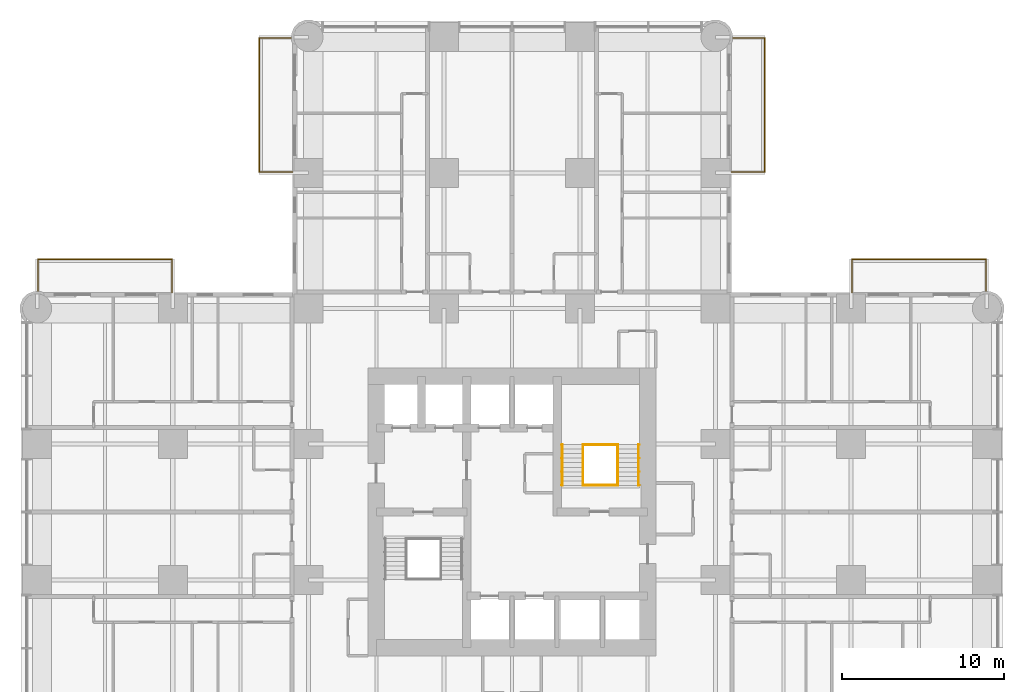
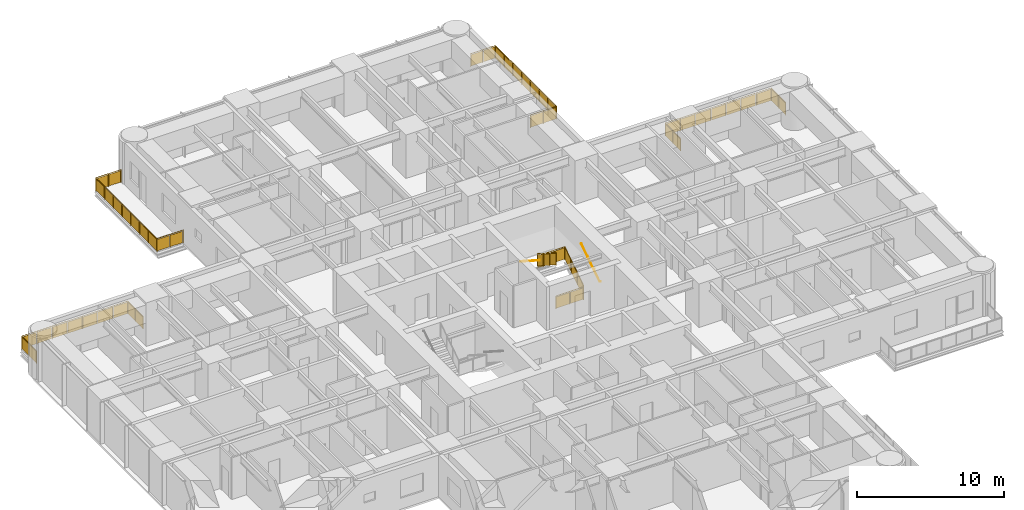
# One storey, part 17 of 17: 10 railings.
"""IFC4 building model written with IfcOpenShell, lengths in metres."""

from ifc_helpers import new_model, si_unit, direction, frame, origin, origin_2d, place, context, subcontext, project, spatial, polyline, circle, outline, extrude, material, constituent, constituent_set, type_object, element, save


model = new_model("IFC4")

# Units and contexts
model_context = context("Model", 3, precision=1e-05, world=origin(), true_north=direction((0.0, 1.0)))
body_context = subcontext(model_context, "Body", "Model", "MODEL_VIEW")
ifc_project = project(units=[si_unit("LENGTHUNIT", "METRE"), si_unit("AREAUNIT", "SQUARE_METRE"), si_unit("VOLUMEUNIT", "CUBIC_METRE"), si_unit("PLANEANGLEUNIT", "RADIAN"), si_unit("MASSUNIT", "GRAM", prefix="KILO")], contexts=[model_context])

# Site, building, storey
site_placement = place(None, origin())
site = spatial("IfcSite", under=ifc_project, at=site_placement, CompositionType="ELEMENT")
building_placement = place(site_placement, origin())
building = spatial("IfcBuilding", under=site, at=building_placement, Name="Torre Alcanfor", CompositionType="ELEMENT")
storey_placement = place(building_placement, frame((0.0, 0.0, 88.5)))
storey = spatial("IfcBuildingStorey", under=building, at=storey_placement, Name="L22", CompositionType="ELEMENT", Elevation=88.5)

# Railings
ifc_material_1 = material(Name="Laminated safety glass", Category="glass")
ifc_constituent_1 = constituent(ifc_material_1, Name="Infill")
ifc_material_2 = material(Name="Stainless steel ASTM A554 Grade MT 316L tube", Category="steel")
ifc_constituent_2 = constituent(ifc_material_2, Name="Posts and rail")
ifc_constituent_set = constituent_set(constituents=[ifc_constituent_1, ifc_constituent_2], Name="Balcony guard glass 1100")
railing_type_1 = type_object("IfcRailingType", Name="Balcony guard glass 1100", PredefinedType="BALUSTRADE", material=ifc_constituent_set)
railing_1_placement = place(storey_placement, frame((15.800048828125, 50.449951171875, 0.0)))
element("IfcRailing", 1, at=railing_1_placement, inside=storey, type_object=railing_type_1, Name="Balcony guard L22-N1", PredefinedType="BALUSTRADE", context=body_context, shape_type="SweptSolid", body=[
    extrude(circle(Radius=0.02392578125, at=origin_2d()), frame((0.0, 0.0, 1.076171875), z_axis=(-1.0, 0.0, 0.0), x_axis=(0.0, -1.0, 0.0)), (0.0, 0.0, 1.0), 2.050048828125),
    extrude(circle(Radius=0.02392578125, at=origin_2d()), frame((-2.050048828125, 0.0, 1.076171875), z_axis=(0.0, 1.0, 0.0), x_axis=(-1.0, 0.0, 0.0)), (0.0, 0.0, 1.0), 8.300048828125),
    extrude(circle(Radius=0.02392578125, at=origin_2d()), frame((-2.050048828125, 8.300048828125, 1.076171875), z_axis=(1.0, 0.0, 0.0), x_axis=(0.0, 1.0, 0.0)), (0.0, 0.0, 1.0), 1.968994140625),
    extrude(circle(Radius=0.02099609375, at=origin_2d()), origin(), (0.0, 0.0, 1.0), 1.052001953125),
    extrude(circle(Radius=0.02099609375, at=origin_2d()), frame((-1.02490234375, 0.0, 0.0)), (0.0, 0.0, 1.0), 1.052001953125),
    extrude(circle(Radius=0.02099609375, at=origin_2d()), frame((-2.050048828125, 0.0, 0.0)), (0.0, 0.0, 1.0), 1.052001953125),
    extrude(circle(Radius=0.02099609375, at=origin_2d()), frame((-2.050048828125, 1.185791015625, 0.0)), (0.0, 0.0, 1.0), 1.052001953125),
    extrude(circle(Radius=0.02099609375, at=origin_2d()), frame((-2.050048828125, 2.371337890625, 0.0)), (0.0, 0.0, 1.0), 1.052001953125),
    extrude(circle(Radius=0.02099609375, at=origin_2d()), frame((-2.050048828125, 3.55712890625, 0.0)), (0.0, 0.0, 1.0), 1.052001953125),
    extrude(circle(Radius=0.02099609375, at=origin_2d()), frame((-2.050048828125, 4.742919921875, 0.0)), (0.0, 0.0, 1.0), 1.052001953125),
    extrude(circle(Radius=0.02099609375, at=origin_2d()), frame((-2.050048828125, 5.9287109375, 0.0)), (0.0, 0.0, 1.0), 1.052001953125),
    extrude(circle(Radius=0.02099609375, at=origin_2d()), frame((-2.050048828125, 7.1142578125, 0.0)), (0.0, 0.0, 1.0), 1.052001953125),
    extrude(circle(Radius=0.02099609375, at=origin_2d()), frame((-2.050048828125, 8.300048828125, 0.0)), (0.0, 0.0, 1.0), 1.052001953125),
    extrude(circle(Radius=0.02099609375, at=origin_2d()), frame((-1.0654296875, 8.300048828125, 0.0)), (0.0, 0.0, 1.0), 1.052001953125),
    extrude(circle(Radius=0.02099609375, at=origin_2d()), frame((-0.0810546875, 8.300048828125, 0.0)), (0.0, 0.0, 1.0), 1.052001953125),
    extrude(outline(polyline([(0.041015625, 0.050048828125), (0.984130859375, 0.050048828125), (0.984130859375, 1.001953125), (0.041015625, 1.001953125), (0.041015625, 0.050048828125)])), frame((0.0, -0.005859375, 0.0), z_axis=(0.0, 1.0, 0.0), x_axis=(-1.0, 0.0, 0.0)), (0.0, 0.0, 1.0), 0.011962890625),
    extrude(outline(polyline([(1.06591796875, 0.050048828125), (2.009033203125, 0.050048828125), (2.009033203125, 1.001953125), (1.06591796875, 1.001953125), (1.06591796875, 0.050048828125)])), frame((0.0, -0.005859375, 0.0), z_axis=(0.0, 1.0, 0.0), x_axis=(-1.0, 0.0, 0.0)), (0.0, 0.0, 1.0), 0.011962890625),
    extrude(outline(polyline([(0.041015625, 0.050048828125), (1.144775390625, 0.050048828125), (1.144775390625, 1.001953125), (0.041015625, 1.001953125), (0.041015625, 0.050048828125)])), frame((-2.05615234375, 0.0, 0.0), z_axis=(1.0, 0.0, 0.0), x_axis=(0.0, 1.0, 0.0)), (0.0, 0.0, 1.0), 0.011962890625),
    extrude(outline(polyline([(1.226806640625, 0.050048828125), (2.330322265625, 0.050048828125), (2.330322265625, 1.001953125), (1.226806640625, 1.001953125), (1.226806640625, 0.050048828125)])), frame((-2.05615234375, 0.0, 0.0), z_axis=(1.0, 0.0, 0.0), x_axis=(0.0, 1.0, 0.0)), (0.0, 0.0, 1.0), 0.011962890625),
    extrude(outline(polyline([(2.412353515625, 0.050048828125), (3.51611328125, 0.050048828125), (3.51611328125, 1.001953125), (2.412353515625, 1.001953125), (2.412353515625, 0.050048828125)])), frame((-2.05615234375, 0.0, 0.0), z_axis=(1.0, 0.0, 0.0), x_axis=(0.0, 1.0, 0.0)), (0.0, 0.0, 1.0), 0.011962890625),
    extrude(outline(polyline([(3.59814453125, 0.050048828125), (4.701904296875, 0.050048828125), (4.701904296875, 1.001953125), (3.59814453125, 1.001953125), (3.59814453125, 0.050048828125)])), frame((-2.05615234375, 0.0, 0.0), z_axis=(1.0, 0.0, 0.0), x_axis=(0.0, 1.0, 0.0)), (0.0, 0.0, 1.0), 0.011962890625),
    extrude(outline(polyline([(4.783935546875, 0.050048828125), (5.8876953125, 0.050048828125), (5.8876953125, 1.001953125), (4.783935546875, 1.001953125), (4.783935546875, 0.050048828125)])), frame((-2.05615234375, 0.0, 0.0), z_axis=(1.0, 0.0, 0.0), x_axis=(0.0, 1.0, 0.0)), (0.0, 0.0, 1.0), 0.011962890625),
    extrude(outline(polyline([(5.9697265625, 0.050048828125), (7.0732421875, 0.050048828125), (7.0732421875, 1.001953125), (5.9697265625, 1.001953125), (5.9697265625, 0.050048828125)])), frame((-2.05615234375, 0.0, 0.0), z_axis=(1.0, 0.0, 0.0), x_axis=(0.0, 1.0, 0.0)), (0.0, 0.0, 1.0), 0.011962890625),
    extrude(outline(polyline([(7.1552734375, 0.050048828125), (8.259033203125, 0.050048828125), (8.259033203125, 1.001953125), (7.1552734375, 1.001953125), (7.1552734375, 0.050048828125)])), frame((-2.05615234375, 0.0, 0.0), z_axis=(1.0, 0.0, 0.0), x_axis=(0.0, 1.0, 0.0)), (0.0, 0.0, 1.0), 0.011962890625),
    extrude(outline(polyline([(0.041015625, 0.050048828125), (0.943603515625, 0.050048828125), (0.943603515625, 1.001953125), (0.041015625, 1.001953125), (0.041015625, 0.050048828125)])), frame((-2.050048828125, 8.30615234375, 0.0), z_axis=(0.0, -1.0, 0.0), x_axis=(1.0, 0.0, 0.0)), (0.0, 0.0, 1.0), 0.011962890625),
    extrude(outline(polyline([(1.025390625, 0.050048828125), (1.927978515625, 0.050048828125), (1.927978515625, 1.001953125), (1.025390625, 1.001953125), (1.025390625, 0.050048828125)])), frame((-2.050048828125, 8.30615234375, 0.0), z_axis=(0.0, -1.0, 0.0), x_axis=(1.0, 0.0, 0.0)), (0.0, 0.0, 1.0), 0.011962890625),
])
railing_2_placement = place(storey_placement, frame((43.0, 50.449951171875, 0.0)))
element("IfcRailing", 2, at=railing_2_placement, inside=storey, type_object=railing_type_1, Name="Balcony guard L22-N2", PredefinedType="BALUSTRADE", context=body_context, shape_type="SweptSolid", body=[
    extrude(circle(Radius=0.02392578125, at=origin_2d()), frame((0.0, 0.0, 1.076171875), z_axis=(1.0, 0.0, 0.0), x_axis=(0.0, 1.0, 0.0)), (0.0, 0.0, 1.0), 2.050048828125),
    extrude(circle(Radius=0.02392578125, at=origin_2d()), frame((2.050048828125, 0.0, 1.076171875), z_axis=(0.0, 1.0, 0.0), x_axis=(-1.0, 0.0, 0.0)), (0.0, 0.0, 1.0), 8.300048828125),
    extrude(circle(Radius=0.02392578125, at=origin_2d()), frame((2.050048828125, 8.300048828125, 1.076171875), z_axis=(-1.0, 0.0, 0.0), x_axis=(0.0, -1.0, 0.0)), (0.0, 0.0, 1.0), 1.968994140625),
    extrude(circle(Radius=0.02099609375, at=origin_2d()), origin(), (0.0, 0.0, 1.0), 1.052001953125),
    extrude(circle(Radius=0.02099609375, at=origin_2d()), frame((1.02490234375, 0.0, 0.0)), (0.0, 0.0, 1.0), 1.052001953125),
    extrude(circle(Radius=0.02099609375, at=origin_2d()), frame((2.050048828125, 0.0, 0.0)), (0.0, 0.0, 1.0), 1.052001953125),
    extrude(circle(Radius=0.02099609375, at=origin_2d()), frame((2.050048828125, 1.185791015625, 0.0)), (0.0, 0.0, 1.0), 1.052001953125),
    extrude(circle(Radius=0.02099609375, at=origin_2d()), frame((2.050048828125, 2.371337890625, 0.0)), (0.0, 0.0, 1.0), 1.052001953125),
    extrude(circle(Radius=0.02099609375, at=origin_2d()), frame((2.050048828125, 3.55712890625, 0.0)), (0.0, 0.0, 1.0), 1.052001953125),
    extrude(circle(Radius=0.02099609375, at=origin_2d()), frame((2.050048828125, 4.742919921875, 0.0)), (0.0, 0.0, 1.0), 1.052001953125),
    extrude(circle(Radius=0.02099609375, at=origin_2d()), frame((2.050048828125, 5.9287109375, 0.0)), (0.0, 0.0, 1.0), 1.052001953125),
    extrude(circle(Radius=0.02099609375, at=origin_2d()), frame((2.050048828125, 7.1142578125, 0.0)), (0.0, 0.0, 1.0), 1.052001953125),
    extrude(circle(Radius=0.02099609375, at=origin_2d()), frame((2.050048828125, 8.300048828125, 0.0)), (0.0, 0.0, 1.0), 1.052001953125),
    extrude(circle(Radius=0.02099609375, at=origin_2d()), frame((1.0654296875, 8.300048828125, 0.0)), (0.0, 0.0, 1.0), 1.052001953125),
    extrude(circle(Radius=0.02099609375, at=origin_2d()), frame((0.0810546875, 8.300048828125, 0.0)), (0.0, 0.0, 1.0), 1.052001953125),
    extrude(outline(polyline([(0.041015625, 0.050048828125), (0.984130859375, 0.050048828125), (0.984130859375, 1.001953125), (0.041015625, 1.001953125), (0.041015625, 0.050048828125)])), frame((0.0, 0.005859375, 0.0), z_axis=(0.0, -1.0, 0.0), x_axis=(1.0, 0.0, 0.0)), (0.0, 0.0, 1.0), 0.011962890625),
    extrude(outline(polyline([(1.06591796875, 0.050048828125), (2.009033203125, 0.050048828125), (2.009033203125, 1.001953125), (1.06591796875, 1.001953125), (1.06591796875, 0.050048828125)])), frame((0.0, 0.005859375, 0.0), z_axis=(0.0, -1.0, 0.0), x_axis=(1.0, 0.0, 0.0)), (0.0, 0.0, 1.0), 0.011962890625),
    extrude(outline(polyline([(0.041015625, 0.050048828125), (1.144775390625, 0.050048828125), (1.144775390625, 1.001953125), (0.041015625, 1.001953125), (0.041015625, 0.050048828125)])), frame((2.0439453125, 0.0, 0.0), z_axis=(1.0, 0.0, 0.0), x_axis=(0.0, 1.0, 0.0)), (0.0, 0.0, 1.0), 0.011962890625),
    extrude(outline(polyline([(1.226806640625, 0.050048828125), (2.330322265625, 0.050048828125), (2.330322265625, 1.001953125), (1.226806640625, 1.001953125), (1.226806640625, 0.050048828125)])), frame((2.0439453125, 0.0, 0.0), z_axis=(1.0, 0.0, 0.0), x_axis=(0.0, 1.0, 0.0)), (0.0, 0.0, 1.0), 0.011962890625),
    extrude(outline(polyline([(2.412353515625, 0.050048828125), (3.51611328125, 0.050048828125), (3.51611328125, 1.001953125), (2.412353515625, 1.001953125), (2.412353515625, 0.050048828125)])), frame((2.0439453125, 0.0, 0.0), z_axis=(1.0, 0.0, 0.0), x_axis=(0.0, 1.0, 0.0)), (0.0, 0.0, 1.0), 0.011962890625),
    extrude(outline(polyline([(3.59814453125, 0.050048828125), (4.701904296875, 0.050048828125), (4.701904296875, 1.001953125), (3.59814453125, 1.001953125), (3.59814453125, 0.050048828125)])), frame((2.0439453125, 0.0, 0.0), z_axis=(1.0, 0.0, 0.0), x_axis=(0.0, 1.0, 0.0)), (0.0, 0.0, 1.0), 0.011962890625),
    extrude(outline(polyline([(4.783935546875, 0.050048828125), (5.8876953125, 0.050048828125), (5.8876953125, 1.001953125), (4.783935546875, 1.001953125), (4.783935546875, 0.050048828125)])), frame((2.0439453125, 0.0, 0.0), z_axis=(1.0, 0.0, 0.0), x_axis=(0.0, 1.0, 0.0)), (0.0, 0.0, 1.0), 0.011962890625),
    extrude(outline(polyline([(5.9697265625, 0.050048828125), (7.0732421875, 0.050048828125), (7.0732421875, 1.001953125), (5.9697265625, 1.001953125), (5.9697265625, 0.050048828125)])), frame((2.0439453125, 0.0, 0.0), z_axis=(1.0, 0.0, 0.0), x_axis=(0.0, 1.0, 0.0)), (0.0, 0.0, 1.0), 0.011962890625),
    extrude(outline(polyline([(7.1552734375, 0.050048828125), (8.259033203125, 0.050048828125), (8.259033203125, 1.001953125), (7.1552734375, 1.001953125), (7.1552734375, 0.050048828125)])), frame((2.0439453125, 0.0, 0.0), z_axis=(1.0, 0.0, 0.0), x_axis=(0.0, 1.0, 0.0)), (0.0, 0.0, 1.0), 0.011962890625),
    extrude(outline(polyline([(0.041015625, 0.050048828125), (0.943603515625, 0.050048828125), (0.943603515625, 1.001953125), (0.041015625, 1.001953125), (0.041015625, 0.050048828125)])), frame((2.050048828125, 8.2939453125, 0.0), z_axis=(0.0, 1.0, 0.0), x_axis=(-1.0, 0.0, 0.0)), (0.0, 0.0, 1.0), 0.011962890625),
    extrude(outline(polyline([(1.025390625, 0.050048828125), (1.927978515625, 0.050048828125), (1.927978515625, 1.001953125), (1.025390625, 1.001953125), (1.025390625, 0.050048828125)])), frame((2.050048828125, 8.2939453125, 0.0), z_axis=(0.0, 1.0, 0.0), x_axis=(-1.0, 0.0, 0.0)), (0.0, 0.0, 1.0), 0.011962890625),
])
railing_3_placement = place(storey_placement, frame((50.449951171875, 43.0, 0.0)))
element("IfcRailing", 3, at=railing_3_placement, inside=storey, type_object=railing_type_1, Name="Balcony guard L22-E1", PredefinedType="BALUSTRADE", context=body_context, shape_type="SweptSolid", body=[
    extrude(circle(Radius=0.02392578125, at=origin_2d()), frame((0.0, 0.0, 1.076171875), z_axis=(0.0, 1.0, 0.0), x_axis=(-1.0, 0.0, 0.0)), (0.0, 0.0, 1.0), 2.050048828125),
    extrude(circle(Radius=0.02392578125, at=origin_2d()), frame((0.0, 2.050048828125, 1.076171875), z_axis=(1.0, 0.0, 0.0), x_axis=(0.0, 1.0, 0.0)), (0.0, 0.0, 1.0), 8.300048828125),
    extrude(circle(Radius=0.02392578125, at=origin_2d()), frame((8.300048828125, 2.050048828125, 1.076171875), z_axis=(0.0, -1.0, 0.0), x_axis=(1.0, 0.0, 0.0)), (0.0, 0.0, 1.0), 1.968994140625),
    extrude(circle(Radius=0.02099609375, at=origin_2d()), origin(), (0.0, 0.0, 1.0), 1.052001953125),
    extrude(circle(Radius=0.02099609375, at=origin_2d()), frame((0.0, 1.02490234375, 0.0)), (0.0, 0.0, 1.0), 1.052001953125),
    extrude(circle(Radius=0.02099609375, at=origin_2d()), frame((0.0, 2.050048828125, 0.0)), (0.0, 0.0, 1.0), 1.052001953125),
    extrude(circle(Radius=0.02099609375, at=origin_2d()), frame((1.185791015625, 2.050048828125, 0.0)), (0.0, 0.0, 1.0), 1.052001953125),
    extrude(circle(Radius=0.02099609375, at=origin_2d()), frame((2.371337890625, 2.050048828125, 0.0)), (0.0, 0.0, 1.0), 1.052001953125),
    extrude(circle(Radius=0.02099609375, at=origin_2d()), frame((3.55712890625, 2.050048828125, 0.0)), (0.0, 0.0, 1.0), 1.052001953125),
    extrude(circle(Radius=0.02099609375, at=origin_2d()), frame((4.742919921875, 2.050048828125, 0.0)), (0.0, 0.0, 1.0), 1.052001953125),
    extrude(circle(Radius=0.02099609375, at=origin_2d()), frame((5.9287109375, 2.050048828125, 0.0)), (0.0, 0.0, 1.0), 1.052001953125),
    extrude(circle(Radius=0.02099609375, at=origin_2d()), frame((7.1142578125, 2.050048828125, 0.0)), (0.0, 0.0, 1.0), 1.052001953125),
    extrude(circle(Radius=0.02099609375, at=origin_2d()), frame((8.300048828125, 2.050048828125, 0.0)), (0.0, 0.0, 1.0), 1.052001953125),
    extrude(circle(Radius=0.02099609375, at=origin_2d()), frame((8.300048828125, 1.0654296875, 0.0)), (0.0, 0.0, 1.0), 1.052001953125),
    extrude(circle(Radius=0.02099609375, at=origin_2d()), frame((8.300048828125, 0.0810546875, 0.0)), (0.0, 0.0, 1.0), 1.052001953125),
    extrude(outline(polyline([(0.041015625, 0.050048828125), (0.984130859375, 0.050048828125), (0.984130859375, 1.001953125), (0.041015625, 1.001953125), (0.041015625, 0.050048828125)])), frame((-0.005859375, 0.0, 0.0), z_axis=(1.0, 0.0, 0.0), x_axis=(0.0, 1.0, 0.0)), (0.0, 0.0, 1.0), 0.011962890625),
    extrude(outline(polyline([(1.06591796875, 0.050048828125), (2.009033203125, 0.050048828125), (2.009033203125, 1.001953125), (1.06591796875, 1.001953125), (1.06591796875, 0.050048828125)])), frame((-0.005859375, 0.0, 0.0), z_axis=(1.0, 0.0, 0.0), x_axis=(0.0, 1.0, 0.0)), (0.0, 0.0, 1.0), 0.011962890625),
    extrude(outline(polyline([(0.041015625, 0.050048828125), (1.144775390625, 0.050048828125), (1.144775390625, 1.001953125), (0.041015625, 1.001953125), (0.041015625, 0.050048828125)])), frame((0.0, 2.05615234375, 0.0), z_axis=(0.0, -1.0, 0.0), x_axis=(1.0, 0.0, 0.0)), (0.0, 0.0, 1.0), 0.011962890625),
    extrude(outline(polyline([(1.226806640625, 0.050048828125), (2.330322265625, 0.050048828125), (2.330322265625, 1.001953125), (1.226806640625, 1.001953125), (1.226806640625, 0.050048828125)])), frame((0.0, 2.05615234375, 0.0), z_axis=(0.0, -1.0, 0.0), x_axis=(1.0, 0.0, 0.0)), (0.0, 0.0, 1.0), 0.011962890625),
    extrude(outline(polyline([(2.412353515625, 0.050048828125), (3.51611328125, 0.050048828125), (3.51611328125, 1.001953125), (2.412353515625, 1.001953125), (2.412353515625, 0.050048828125)])), frame((0.0, 2.05615234375, 0.0), z_axis=(0.0, -1.0, 0.0), x_axis=(1.0, 0.0, 0.0)), (0.0, 0.0, 1.0), 0.011962890625),
    extrude(outline(polyline([(3.59814453125, 0.050048828125), (4.701904296875, 0.050048828125), (4.701904296875, 1.001953125), (3.59814453125, 1.001953125), (3.59814453125, 0.050048828125)])), frame((0.0, 2.05615234375, 0.0), z_axis=(0.0, -1.0, 0.0), x_axis=(1.0, 0.0, 0.0)), (0.0, 0.0, 1.0), 0.011962890625),
    extrude(outline(polyline([(4.783935546875, 0.050048828125), (5.8876953125, 0.050048828125), (5.8876953125, 1.001953125), (4.783935546875, 1.001953125), (4.783935546875, 0.050048828125)])), frame((0.0, 2.05615234375, 0.0), z_axis=(0.0, -1.0, 0.0), x_axis=(1.0, 0.0, 0.0)), (0.0, 0.0, 1.0), 0.011962890625),
    extrude(outline(polyline([(5.9697265625, 0.050048828125), (7.0732421875, 0.050048828125), (7.0732421875, 1.001953125), (5.9697265625, 1.001953125), (5.9697265625, 0.050048828125)])), frame((0.0, 2.05615234375, 0.0), z_axis=(0.0, -1.0, 0.0), x_axis=(1.0, 0.0, 0.0)), (0.0, 0.0, 1.0), 0.011962890625),
    extrude(outline(polyline([(7.1552734375, 0.050048828125), (8.259033203125, 0.050048828125), (8.259033203125, 1.001953125), (7.1552734375, 1.001953125), (7.1552734375, 0.050048828125)])), frame((0.0, 2.05615234375, 0.0), z_axis=(0.0, -1.0, 0.0), x_axis=(1.0, 0.0, 0.0)), (0.0, 0.0, 1.0), 0.011962890625),
    extrude(outline(polyline([(0.041015625, 0.050048828125), (0.943603515625, 0.050048828125), (0.943603515625, 1.001953125), (0.041015625, 1.001953125), (0.041015625, 0.050048828125)])), frame((8.30615234375, 2.050048828125, 0.0), z_axis=(-1.0, 0.0, 0.0), x_axis=(0.0, -1.0, 0.0)), (0.0, 0.0, 1.0), 0.011962890625),
    extrude(outline(polyline([(1.025390625, 0.050048828125), (1.927978515625, 0.050048828125), (1.927978515625, 1.001953125), (1.025390625, 1.001953125), (1.025390625, 0.050048828125)])), frame((8.30615234375, 2.050048828125, 0.0), z_axis=(-1.0, 0.0, 0.0), x_axis=(0.0, -1.0, 0.0)), (0.0, 0.0, 1.0), 0.011962890625),
])
railing_4_placement = place(storey_placement, frame((8.35009765625, 43.0, 0.0)))
element("IfcRailing", 4, at=railing_4_placement, inside=storey, type_object=railing_type_1, Name="Balcony guard L22-W2", PredefinedType="BALUSTRADE", context=body_context, shape_type="SweptSolid", body=[
    extrude(circle(Radius=0.02392578125, at=origin_2d()), frame((0.0, 0.0, 1.076171875), z_axis=(0.0, 1.0, 0.0), x_axis=(-1.0, 0.0, 0.0)), (0.0, 0.0, 1.0), 2.050048828125),
    extrude(circle(Radius=0.02392578125, at=origin_2d()), frame((0.0, 2.050048828125, 1.076171875), z_axis=(-1.0, 0.0, 0.0), x_axis=(0.0, -1.0, 0.0)), (0.0, 0.0, 1.0), 8.300048828125),
    extrude(circle(Radius=0.02392578125, at=origin_2d()), frame((-8.300048828125, 2.050048828125, 1.076171875), z_axis=(0.0, -1.0, 0.0), x_axis=(1.0, 0.0, 0.0)), (0.0, 0.0, 1.0), 1.968994140625),
    extrude(circle(Radius=0.02099609375, at=origin_2d()), origin(), (0.0, 0.0, 1.0), 1.052001953125),
    extrude(circle(Radius=0.02099609375, at=origin_2d()), frame((0.0, 1.02490234375, 0.0)), (0.0, 0.0, 1.0), 1.052001953125),
    extrude(circle(Radius=0.02099609375, at=origin_2d()), frame((0.0, 2.050048828125, 0.0)), (0.0, 0.0, 1.0), 1.052001953125),
    extrude(circle(Radius=0.02099609375, at=origin_2d()), frame((-1.185791015625, 2.050048828125, 0.0)), (0.0, 0.0, 1.0), 1.052001953125),
    extrude(circle(Radius=0.02099609375, at=origin_2d()), frame((-2.371337890625, 2.050048828125, 0.0)), (0.0, 0.0, 1.0), 1.052001953125),
    extrude(circle(Radius=0.02099609375, at=origin_2d()), frame((-3.55712890625, 2.050048828125, 0.0)), (0.0, 0.0, 1.0), 1.052001953125),
    extrude(circle(Radius=0.02099609375, at=origin_2d()), frame((-4.742919921875, 2.050048828125, 0.0)), (0.0, 0.0, 1.0), 1.052001953125),
    extrude(circle(Radius=0.02099609375, at=origin_2d()), frame((-5.9287109375, 2.050048828125, 0.0)), (0.0, 0.0, 1.0), 1.052001953125),
    extrude(circle(Radius=0.02099609375, at=origin_2d()), frame((-7.1142578125, 2.050048828125, 0.0)), (0.0, 0.0, 1.0), 1.052001953125),
    extrude(circle(Radius=0.02099609375, at=origin_2d()), frame((-8.300048828125, 2.050048828125, 0.0)), (0.0, 0.0, 1.0), 1.052001953125),
    extrude(circle(Radius=0.02099609375, at=origin_2d()), frame((-8.300048828125, 1.0654296875, 0.0)), (0.0, 0.0, 1.0), 1.052001953125),
    extrude(circle(Radius=0.02099609375, at=origin_2d()), frame((-8.300048828125, 0.0810546875, 0.0)), (0.0, 0.0, 1.0), 1.052001953125),
    extrude(outline(polyline([(0.041015625, 0.050048828125), (0.984130859375, 0.050048828125), (0.984130859375, 1.001953125), (0.041015625, 1.001953125), (0.041015625, 0.050048828125)])), frame((-0.005859375, 0.0, 0.0), z_axis=(1.0, 0.0, 0.0), x_axis=(0.0, 1.0, 0.0)), (0.0, 0.0, 1.0), 0.011962890625),
    extrude(outline(polyline([(1.06591796875, 0.050048828125), (2.009033203125, 0.050048828125), (2.009033203125, 1.001953125), (1.06591796875, 1.001953125), (1.06591796875, 0.050048828125)])), frame((-0.005859375, 0.0, 0.0), z_axis=(1.0, 0.0, 0.0), x_axis=(0.0, 1.0, 0.0)), (0.0, 0.0, 1.0), 0.011962890625),
    extrude(outline(polyline([(0.041015625, 0.050048828125), (1.144775390625, 0.050048828125), (1.144775390625, 1.001953125), (0.041015625, 1.001953125), (0.041015625, 0.050048828125)])), frame((0.0, 2.0439453125, 0.0), z_axis=(0.0, 1.0, 0.0), x_axis=(-1.0, 0.0, 0.0)), (0.0, 0.0, 1.0), 0.011962890625),
    extrude(outline(polyline([(1.226806640625, 0.050048828125), (2.330322265625, 0.050048828125), (2.330322265625, 1.001953125), (1.226806640625, 1.001953125), (1.226806640625, 0.050048828125)])), frame((0.0, 2.0439453125, 0.0), z_axis=(0.0, 1.0, 0.0), x_axis=(-1.0, 0.0, 0.0)), (0.0, 0.0, 1.0), 0.011962890625),
    extrude(outline(polyline([(2.412353515625, 0.050048828125), (3.51611328125, 0.050048828125), (3.51611328125, 1.001953125), (2.412353515625, 1.001953125), (2.412353515625, 0.050048828125)])), frame((0.0, 2.0439453125, 0.0), z_axis=(0.0, 1.0, 0.0), x_axis=(-1.0, 0.0, 0.0)), (0.0, 0.0, 1.0), 0.011962890625),
    extrude(outline(polyline([(3.59814453125, 0.050048828125), (4.701904296875, 0.050048828125), (4.701904296875, 1.001953125), (3.59814453125, 1.001953125), (3.59814453125, 0.050048828125)])), frame((0.0, 2.0439453125, 0.0), z_axis=(0.0, 1.0, 0.0), x_axis=(-1.0, 0.0, 0.0)), (0.0, 0.0, 1.0), 0.011962890625),
    extrude(outline(polyline([(4.783935546875, 0.050048828125), (5.8876953125, 0.050048828125), (5.8876953125, 1.001953125), (4.783935546875, 1.001953125), (4.783935546875, 0.050048828125)])), frame((0.0, 2.0439453125, 0.0), z_axis=(0.0, 1.0, 0.0), x_axis=(-1.0, 0.0, 0.0)), (0.0, 0.0, 1.0), 0.011962890625),
    extrude(outline(polyline([(5.9697265625, 0.050048828125), (7.0732421875, 0.050048828125), (7.0732421875, 1.001953125), (5.9697265625, 1.001953125), (5.9697265625, 0.050048828125)])), frame((0.0, 2.0439453125, 0.0), z_axis=(0.0, 1.0, 0.0), x_axis=(-1.0, 0.0, 0.0)), (0.0, 0.0, 1.0), 0.011962890625),
    extrude(outline(polyline([(7.1552734375, 0.050048828125), (8.259033203125, 0.050048828125), (8.259033203125, 1.001953125), (7.1552734375, 1.001953125), (7.1552734375, 0.050048828125)])), frame((0.0, 2.0439453125, 0.0), z_axis=(0.0, 1.0, 0.0), x_axis=(-1.0, 0.0, 0.0)), (0.0, 0.0, 1.0), 0.011962890625),
    extrude(outline(polyline([(0.041015625, 0.050048828125), (0.943603515625, 0.050048828125), (0.943603515625, 1.001953125), (0.041015625, 1.001953125), (0.041015625, 0.050048828125)])), frame((-8.2939453125, 2.050048828125, 0.0), z_axis=(-1.0, 0.0, 0.0), x_axis=(0.0, -1.0, 0.0)), (0.0, 0.0, 1.0), 0.011962890625),
    extrude(outline(polyline([(1.025390625, 0.050048828125), (1.927978515625, 0.050048828125), (1.927978515625, 1.001953125), (1.025390625, 1.001953125), (1.025390625, 0.050048828125)])), frame((-8.2939453125, 2.050048828125, 0.0), z_axis=(-1.0, 0.0, 0.0), x_axis=(0.0, -1.0, 0.0)), (0.0, 0.0, 1.0), 0.011962890625),
])
ifc_material_3 = material(Name="Steel ASTM A500 Grade C hollow sections", Category="steel")
railing_type_2 = type_object("IfcRailingType", Name="Stair guard and handrail 1100", PredefinedType="GUARDRAIL", material=ifc_material_3)
railing_5_placement = place(storey_placement, frame((35.949951171875, 31.050048828125, 0.179931640625)))
element("IfcRailing", 5, at=railing_5_placement, inside=storey, type_object=railing_type_2, Name="Stair guard S2 L22 flight 1", PredefinedType="GUARDRAIL", context=body_context, shape_type="SweptSolid", body=[
    extrude(circle(Radius=0.02392578125, at=origin_2d()), frame((0.0, 0.0, 1.076171875), z_axis=(0.0, 0.841162588446, 0.540782303519), x_axis=(-1.0, 0.0, 0.0)), (0.0, 0.0, 1.0), 2.995849609375),
    extrude(circle(Radius=0.02099609375, at=origin_2d()), origin(), (0.0, 0.0, 1.0), 1.052001953125),
    extrude(circle(Radius=0.02099609375, at=origin_2d()), frame((0.0, 0.840087890625, 0.5400390625)), (0.0, 0.0, 1.0), 1.052001953125),
    extrude(circle(Radius=0.02099609375, at=origin_2d()), frame((0.0, 1.679931640625, 1.080078125)), (0.0, 0.0, 1.0), 1.052001953125),
    extrude(circle(Radius=0.02099609375, at=origin_2d()), frame((0.0, 2.52001953125, 1.6201171875)), (0.0, 0.0, 1.0), 1.052001953125),
    extrude(outline(polyline([(0.041015625, 0.076416015625), (0.799072265625, 0.563720703125), (0.799072265625, 1.515625), (0.041015625, 1.0283203125), (0.041015625, 0.076416015625)])), frame((-0.005859375, 0.0, 0.0), z_axis=(1.0, 0.0, 0.0), x_axis=(0.0, 1.0, 0.0)), (0.0, 0.0, 1.0), 0.011962890625),
    extrude(outline(polyline([(0.881103515625, 0.616455078125), (1.638916015625, 1.103759765625), (1.638916015625, 2.0556640625), (0.881103515625, 1.568359375), (0.881103515625, 0.616455078125)])), frame((-0.005859375, 0.0, 0.0), z_axis=(1.0, 0.0, 0.0), x_axis=(0.0, 1.0, 0.0)), (0.0, 0.0, 1.0), 0.011962890625),
    extrude(outline(polyline([(1.720947265625, 1.156494140625), (2.47900390625, 1.643798828125), (2.47900390625, 2.595703125), (1.720947265625, 2.1083984375), (1.720947265625, 1.156494140625)])), frame((-0.005859375, 0.0, 0.0), z_axis=(1.0, 0.0, 0.0), x_axis=(0.0, 1.0, 0.0)), (0.0, 0.0, 1.0), 0.011962890625),
])
railing_6_placement = place(storey_placement, frame((33.800048828125, 33.570068359375, 1.97998046875)))
element("IfcRailing", 6, at=railing_6_placement, inside=storey, type_object=railing_type_2, Name="Stair guard S2 L22 flight 2", PredefinedType="GUARDRAIL", context=body_context, shape_type="SweptSolid", body=[
    extrude(circle(Radius=0.02392578125, at=origin_2d()), frame((0.0, 0.0, 1.076171875), z_axis=(0.0, -0.841162588446, 0.540782303519), x_axis=(1.0, 0.0, 0.0)), (0.0, 0.0, 1.0), 2.995849609375),
    extrude(circle(Radius=0.02099609375, at=origin_2d()), origin(), (0.0, 0.0, 1.0), 1.052001953125),
    extrude(circle(Radius=0.02099609375, at=origin_2d()), frame((0.0, -0.840087890625, 0.5400390625)), (0.0, 0.0, 1.0), 1.052001953125),
    extrude(circle(Radius=0.02099609375, at=origin_2d()), frame((0.0, -1.679931640625, 1.080078125)), (0.0, 0.0, 1.0), 1.052001953125),
    extrude(circle(Radius=0.02099609375, at=origin_2d()), frame((0.0, -2.52001953125, 1.6201171875)), (0.0, 0.0, 1.0), 1.052001953125),
    extrude(outline(polyline([(0.041015625, 0.076416015625), (0.799072265625, 0.563720703125), (0.799072265625, 1.515625), (0.041015625, 1.0283203125), (0.041015625, 0.076416015625)])), frame((0.005859375, 0.0, 0.0), z_axis=(-1.0, 0.0, 0.0), x_axis=(0.0, -1.0, 0.0)), (0.0, 0.0, 1.0), 0.011962890625),
    extrude(outline(polyline([(0.881103515625, 0.616455078125), (1.638916015625, 1.103759765625), (1.638916015625, 2.0556640625), (0.881103515625, 1.568359375), (0.881103515625, 0.616455078125)])), frame((0.005859375, 0.0, 0.0), z_axis=(-1.0, 0.0, 0.0), x_axis=(0.0, -1.0, 0.0)), (0.0, 0.0, 1.0), 0.011962890625),
    extrude(outline(polyline([(1.720947265625, 1.156494140625), (2.47900390625, 1.643798828125), (2.47900390625, 2.595703125), (1.720947265625, 2.1083984375), (1.720947265625, 1.156494140625)])), frame((0.005859375, 0.0, 0.0), z_axis=(-1.0, 0.0, 0.0), x_axis=(0.0, -1.0, 0.0)), (0.0, 0.0, 1.0), 0.011962890625),
])
for number, where, name in (
    (7, (33.800048828125, 31.050048828125, 0.0), "Stair well guard S2 L22 floor landing"),
    (8, (33.800048828125, 33.570068359375, 1.800048828125), "Stair well guard S2 L22 half landing"),
):
    element("IfcRailing", number, at=place(storey_placement, frame(where)), inside=storey, type_object=railing_type_2, Name=name, PredefinedType="GUARDRAIL", context=body_context, shape_type="SweptSolid", body=[
        extrude(circle(Radius=0.02392578125, at=origin_2d()), frame((0.0, 0.0, 1.076171875), z_axis=(1.0, 0.0, 0.0), x_axis=(0.0, 1.0, 0.0)), (0.0, 0.0, 1.0), 2.14990234375),
        extrude(circle(Radius=0.02099609375, at=origin_2d()), origin(), (0.0, 0.0, 1.0), 1.052001953125),
        extrude(circle(Radius=0.02099609375, at=origin_2d()), frame((1.074951171875, 0.0, 0.0)), (0.0, 0.0, 1.0), 1.052001953125),
        extrude(circle(Radius=0.02099609375, at=origin_2d()), frame((2.14990234375, 0.0, 0.0)), (0.0, 0.0, 1.0), 1.052001953125),
        extrude(outline(polyline([(0.041015625, 0.050048828125), (1.033935546875, 0.050048828125), (1.033935546875, 1.001953125), (0.041015625, 1.001953125), (0.041015625, 0.050048828125)])), frame((0.0, 0.005859375, 0.0), z_axis=(0.0, -1.0, 0.0), x_axis=(1.0, 0.0, 0.0)), (0.0, 0.0, 1.0), 0.011962890625),
        extrude(outline(polyline([(1.115966796875, 0.050048828125), (2.10888671875, 0.050048828125), (2.10888671875, 1.001953125), (1.115966796875, 1.001953125), (1.115966796875, 0.050048828125)])), frame((0.0, 0.005859375, 0.0), z_axis=(0.0, -1.0, 0.0), x_axis=(1.0, 0.0, 0.0)), (0.0, 0.0, 1.0), 0.011962890625),
    ])
ifc_material_4 = material(Name="Steel ASTM A500 Grade C hollow sections", Category="steel")
railing_type_3 = type_object("IfcRailingType", Name="Stair wall handrail 900", PredefinedType="HANDRAIL", material=ifc_material_4)
railing_7_placement = place(storey_placement, frame((37.235107421875, 31.050048828125, 0.179931640625)))
element("IfcRailing", 9, at=railing_7_placement, inside=storey, type_object=railing_type_3, Name="Stair handrail S2 L22 flight 1", PredefinedType="HANDRAIL", context=body_context, shape_type="SweptSolid", body=[
    extrude(circle(Radius=0.02392578125, at=origin_2d()), frame((0.0, 0.0, 0.8759765625), z_axis=(0.0, 0.841162588446, 0.540782303519), x_axis=(-1.0, 0.0, 0.0)), (0.0, 0.0, 1.0), 2.995849609375),
    extrude(circle(Radius=0.008056640625, at=origin_2d()), frame((0.0, 0.0, 0.8759765625), z_axis=(1.0, 0.0, 0.0), x_axis=(0.0, 0.0, 1.0)), (0.0, 0.0, 1.0), 0.06494140625),
    extrude(circle(Radius=0.008056640625, at=origin_2d()), frame((0.0, 0.840087890625, 1.416015625), z_axis=(1.0, 0.0, 0.0), x_axis=(0.0, 0.0, 1.0)), (0.0, 0.0, 1.0), 0.06494140625),
    extrude(circle(Radius=0.008056640625, at=origin_2d()), frame((0.0, 1.679931640625, 1.9560546875), z_axis=(1.0, 0.0, 0.0), x_axis=(0.0, 0.0, 1.0)), (0.0, 0.0, 1.0), 0.06494140625),
    extrude(circle(Radius=0.008056640625, at=origin_2d()), frame((0.0, 2.52001953125, 2.49609375), z_axis=(1.0, 0.0, 0.0), x_axis=(0.0, 0.0, 1.0)), (0.0, 0.0, 1.0), 0.06494140625),
])
railing_8_placement = place(storey_placement, frame((32.514892578125, 33.570068359375, 1.97998046875)))
element("IfcRailing", 10, at=railing_8_placement, inside=storey, type_object=railing_type_3, Name="Stair handrail S2 L22 flight 2", PredefinedType="HANDRAIL", context=body_context, shape_type="SweptSolid", body=[
    extrude(circle(Radius=0.02392578125, at=origin_2d()), frame((0.0, 0.0, 0.8759765625), z_axis=(0.0, -0.841162588446, 0.540782303519), x_axis=(1.0, 0.0, 0.0)), (0.0, 0.0, 1.0), 2.995849609375),
    extrude(circle(Radius=0.008056640625, at=origin_2d()), frame((0.0, 0.0, 0.8759765625), z_axis=(-1.0, 0.0, 0.0), x_axis=(0.0, 0.0, 1.0)), (0.0, 0.0, 1.0), 0.06494140625),
    extrude(circle(Radius=0.008056640625, at=origin_2d()), frame((0.0, -0.840087890625, 1.416015625), z_axis=(-1.0, 0.0, 0.0), x_axis=(0.0, 0.0, 1.0)), (0.0, 0.0, 1.0), 0.06494140625),
    extrude(circle(Radius=0.008056640625, at=origin_2d()), frame((0.0, -1.679931640625, 1.9560546875), z_axis=(-1.0, 0.0, 0.0), x_axis=(0.0, 0.0, 1.0)), (0.0, 0.0, 1.0), 0.06494140625),
    extrude(circle(Radius=0.008056640625, at=origin_2d()), frame((0.0, -2.52001953125, 2.49609375), z_axis=(-1.0, 0.0, 0.0), x_axis=(0.0, 0.0, 1.0)), (0.0, 0.0, 1.0), 0.06494140625),
])

save(model, "model.ifc")
